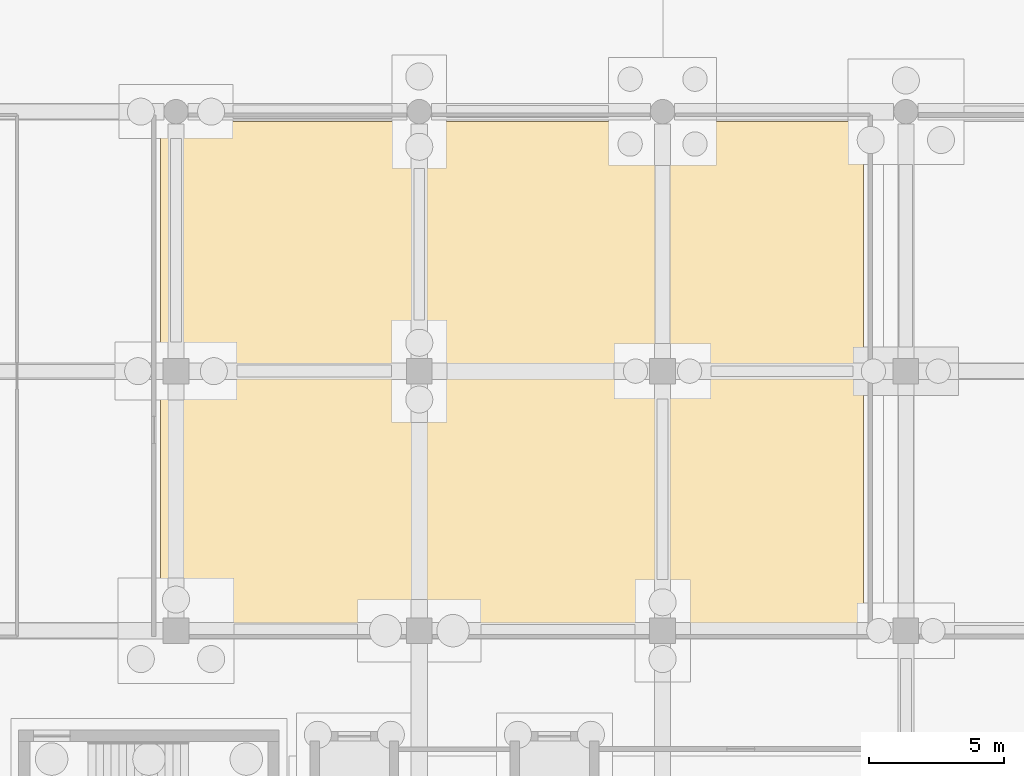
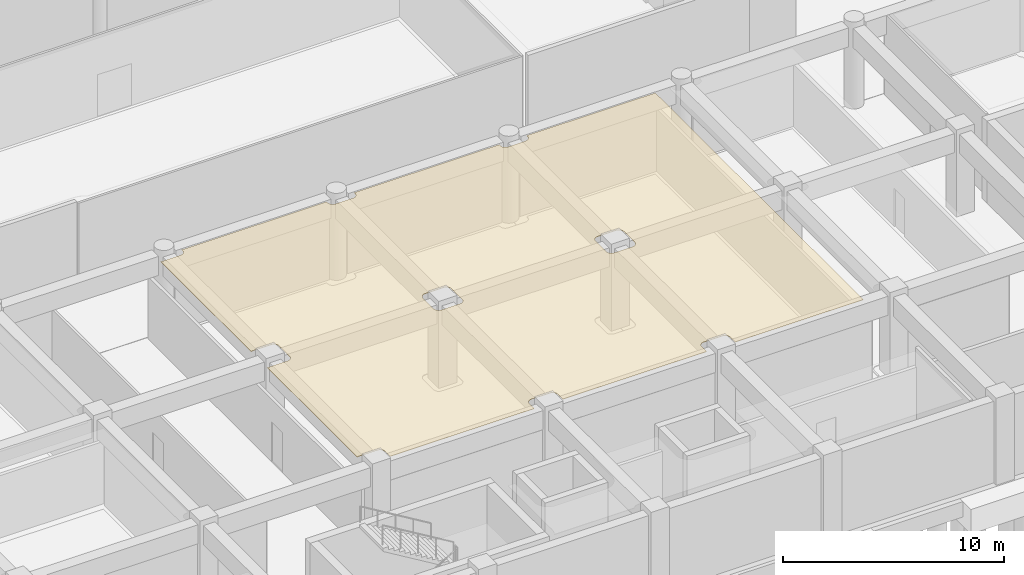
# One storey, part 34 of 47: 1 covering.
"""IFC4 building model written with IfcOpenShell, lengths in metres."""

from ifc_helpers import new_model, si_unit, direction, frame, origin, place, context, subcontext, project, spatial, polyline, outline, extrude, material, layer, layer_set, type_object, element, save


model = new_model("IFC4")

# Units and contexts
model_context = context("Model", 3, precision=1e-05, world=origin(), true_north=direction((0.0, 1.0)))
body_context = subcontext(model_context, "Body", "Model", "MODEL_VIEW")
ifc_project = project(units=[si_unit("LENGTHUNIT", "METRE"), si_unit("AREAUNIT", "SQUARE_METRE"), si_unit("VOLUMEUNIT", "CUBIC_METRE"), si_unit("PLANEANGLEUNIT", "RADIAN"), si_unit("MASSUNIT", "GRAM", prefix="KILO")], contexts=[model_context])

# Site, building, storey
site_placement = place(None, origin())
site = spatial("IfcSite", under=ifc_project, at=site_placement, CompositionType="ELEMENT")
building_placement = place(site_placement, origin())
building = spatial("IfcBuilding", under=site, at=building_placement, Name="Cendralis Terraced Arcade", CompositionType="ELEMENT")
storey_placement = place(building_placement, frame((0.0, 0.0, -4.800048828125)))
storey = spatial("IfcBuildingStorey", under=building, at=storey_placement, Name="B1", CompositionType="ELEMENT", Elevation=-4.800048828125)

# Covering
ifc_material = material(Name="Gypsum plasterboard acoustic partition")
ifc_layer = layer(ifc_material, 0.02490234375, Name="COV-CEIL-ACOU-25")
ifc_layer_set = layer_set([ifc_layer], Name="Gypsum plasterboard acoustic partition")
covering_type = type_object("IfcCoveringType", Name="COV-CEIL-ACOU-25", PredefinedType="CEILING", material=ifc_layer_set)
covering_placement = place(storey_placement, frame((0.0, 0.0, 4.47509765625)))
element("IfcCovering", 1, at=covering_placement, inside=storey, type_object=covering_type, Name="Acoustic Soffit Ceiling B1-012", PredefinedType="CEILING", context=body_context, shape_type="SweptSolid", body=[
    extrude(outline(polyline([(75.633056640625, 28.071044921875), (75.635009765625, 28.070556640625), (75.658447265625, 28.0634765625), (75.660400390625, 28.06298828125), (75.684326171875, 28.05810546875), (75.686279296875, 28.057861328125), (75.710693359375, 28.055419921875), (75.712646484375, 28.055419921875), (75.72509765625, 28.054931640625), (76.675048828125, 28.054931640625), (76.687255859375, 28.055419921875), (76.689208984375, 28.055419921875), (76.713623046875, 28.057861328125), (76.715576171875, 28.05810546875), (76.739501953125, 28.06298828125), (76.74169921875, 28.0634765625), (76.764892578125, 28.070556640625), (76.766845703125, 28.071044921875), (76.78955078125, 28.08056640625), (76.791259765625, 28.081298828125), (76.81298828125, 28.093017578125), (76.814697265625, 28.093994140625), (76.8349609375, 28.107666015625), (76.836669921875, 28.108642578125), (76.855712890625, 28.124267578125), (76.85693359375, 28.12548828125), (76.87451171875, 28.14306640625), (76.875732421875, 28.144287109375), (76.891357421875, 28.163330078125), (76.892333984375, 28.1650390625), (76.906005859375, 28.185302734375), (76.906982421875, 28.18701171875), (76.918701171875, 28.208740234375), (76.91943359375, 28.21044921875), (76.928955078125, 28.233154296875), (76.929443359375, 28.235107421875), (76.9365234375, 28.25830078125), (76.93701171875, 28.260498046875), (76.94189453125, 28.284423828125), (76.942138671875, 28.286376953125), (76.944580078125, 28.310791015625), (76.944580078125, 28.312744140625), (76.945068359375, 28.324951171875), (76.945068359375, 29.27490234375), (76.944580078125, 29.287353515625), (76.944580078125, 29.289306640625), (76.942138671875, 29.313720703125), (76.94189453125, 29.315673828125), (76.93701171875, 29.339599609375), (76.9365234375, 29.341552734375), (76.929443359375, 29.364990234375), (76.928955078125, 29.366943359375), (76.91943359375, 29.389404296875), (76.918701171875, 29.391357421875), (76.906982421875, 29.4130859375), (76.906005859375, 29.41455078125), (76.892333984375, 29.43505859375), (76.891357421875, 29.4365234375), (76.875732421875, 29.45556640625), (76.87451171875, 29.45703125), (76.85693359375, 29.474365234375), (76.855712890625, 29.4755859375), (76.836669921875, 29.4912109375), (76.8349609375, 29.492431640625), (76.814697265625, 29.506103515625), (76.81298828125, 29.507080078125), (76.791259765625, 29.5185546875), (76.78955078125, 29.51953125), (76.766845703125, 29.52880859375), (76.764892578125, 29.529541015625), (76.74169921875, 29.53662109375), (76.739501953125, 29.537109375), (76.715576171875, 29.5419921875), (76.713623046875, 29.542236328125), (76.689208984375, 29.544677734375), (76.687255859375, 29.544677734375), (76.675048828125, 29.544921875), (75.72509765625, 29.544921875), (75.712646484375, 29.544677734375), (75.710693359375, 29.544677734375), (75.686279296875, 29.542236328125), (75.684326171875, 29.5419921875), (75.660400390625, 29.537109375), (75.658447265625, 29.53662109375), (75.635009765625, 29.529541015625), (75.633056640625, 29.52880859375), (75.6298828125, 29.527587890625), (75.6298828125, 37.708251953125), (75.6337890625, 37.706298828125), (75.635498046875, 37.70556640625), (75.658203125, 37.696044921875), (75.659912109375, 37.695556640625), (75.683349609375, 37.6884765625), (75.685302734375, 37.68798828125), (75.70947265625, 37.68310546875), (75.71142578125, 37.682861328125), (75.73583984375, 37.680419921875), (75.73779296875, 37.680419921875), (75.75, 37.679931640625), (76.64990234375, 37.679931640625), (76.662353515625, 37.680419921875), (76.664306640625, 37.680419921875), (76.688720703125, 37.682861328125), (76.690673828125, 37.68310546875), (76.714599609375, 37.68798828125), (76.716552734375, 37.6884765625), (76.739990234375, 37.695556640625), (76.741943359375, 37.696044921875), (76.764404296875, 37.70556640625), (76.766357421875, 37.706298828125), (76.7880859375, 37.718017578125), (76.78955078125, 37.718994140625), (76.81005859375, 37.732666015625), (76.8115234375, 37.733642578125), (76.83056640625, 37.749267578125), (76.83203125, 37.75048828125), (76.849365234375, 37.76806640625), (76.8505859375, 37.769287109375), (76.8662109375, 37.788330078125), (76.867431640625, 37.7900390625), (76.881103515625, 37.810302734375), (76.882080078125, 37.81201171875), (76.8935546875, 37.833740234375), (76.89453125, 37.83544921875), (76.90380859375, 37.858154296875), (76.904541015625, 37.860107421875), (76.91162109375, 37.88330078125), (76.912109375, 37.885498046875), (76.9169921875, 37.909423828125), (76.917236328125, 37.911376953125), (76.919677734375, 37.935791015625), (76.919677734375, 37.937744140625), (76.919921875, 37.949951171875), (76.919921875, 38.030029296875), (84.47998046875, 38.030029296875), (84.47998046875, 37.949951171875), (84.480224609375, 37.937744140625), (84.48046875, 37.935791015625), (84.48291015625, 37.911376953125), (84.483154296875, 37.909423828125), (84.48779296875, 37.885498046875), (84.48828125, 37.88330078125), (84.49560546875, 37.860107421875), (84.49609375, 37.858154296875), (84.505615234375, 37.83544921875), (84.50634765625, 37.833740234375), (84.517822265625, 37.81201171875), (84.518798828125, 37.810302734375), (84.53271484375, 37.7900390625), (84.53369140625, 37.788330078125), (84.54931640625, 37.769287109375), (84.550537109375, 37.76806640625), (84.568115234375, 37.75048828125), (84.5693359375, 37.749267578125), (84.58837890625, 37.733642578125), (84.590087890625, 37.732666015625), (84.6103515625, 37.718994140625), (84.612060546875, 37.718017578125), (84.6337890625, 37.706298828125), (84.635498046875, 37.70556640625), (84.658203125, 37.696044921875), (84.659912109375, 37.695556640625), (84.683349609375, 37.6884765625), (84.685302734375, 37.68798828125), (84.70947265625, 37.68310546875), (84.71142578125, 37.682861328125), (84.73583984375, 37.680419921875), (84.73779296875, 37.680419921875), (84.75, 37.679931640625), (85.64990234375, 37.679931640625), (85.662353515625, 37.680419921875), (85.664306640625, 37.680419921875), (85.688720703125, 37.682861328125), (85.690673828125, 37.68310546875), (85.714599609375, 37.68798828125), (85.716552734375, 37.6884765625), (85.739990234375, 37.695556640625), (85.741943359375, 37.696044921875), (85.764404296875, 37.70556640625), (85.766357421875, 37.706298828125), (85.7880859375, 37.718017578125), (85.78955078125, 37.718994140625), (85.81005859375, 37.732666015625), (85.8115234375, 37.733642578125), (85.83056640625, 37.749267578125), (85.83203125, 37.75048828125), (85.849365234375, 37.76806640625), (85.8505859375, 37.769287109375), (85.8662109375, 37.788330078125), (85.867431640625, 37.7900390625), (85.881103515625, 37.810302734375), (85.882080078125, 37.81201171875), (85.8935546875, 37.833740234375), (85.89453125, 37.83544921875), (85.90380859375, 37.858154296875), (85.904541015625, 37.860107421875), (85.91162109375, 37.88330078125), (85.912109375, 37.885498046875), (85.9169921875, 37.909423828125), (85.917236328125, 37.911376953125), (85.919677734375, 37.935791015625), (85.919677734375, 37.937744140625), (85.919921875, 37.949951171875), (85.919921875, 38.030029296875), (93.47998046875, 38.030029296875), (93.47998046875, 37.949951171875), (93.480224609375, 37.937744140625), (93.48046875, 37.935791015625), (93.48291015625, 37.911376953125), (93.483154296875, 37.909423828125), (93.48779296875, 37.885498046875), (93.48828125, 37.88330078125), (93.49560546875, 37.860107421875), (93.49609375, 37.858154296875), (93.505615234375, 37.83544921875), (93.50634765625, 37.833740234375), (93.517822265625, 37.81201171875), (93.518798828125, 37.810302734375), (93.53271484375, 37.7900390625), (93.53369140625, 37.788330078125), (93.54931640625, 37.769287109375), (93.550537109375, 37.76806640625), (93.568115234375, 37.75048828125), (93.5693359375, 37.749267578125), (93.58837890625, 37.733642578125), (93.590087890625, 37.732666015625), (93.6103515625, 37.718994140625), (93.612060546875, 37.718017578125), (93.6337890625, 37.706298828125), (93.635498046875, 37.70556640625), (93.658203125, 37.696044921875), (93.659912109375, 37.695556640625), (93.683349609375, 37.6884765625), (93.685302734375, 37.68798828125), (93.70947265625, 37.68310546875), (93.71142578125, 37.682861328125), (93.73583984375, 37.680419921875), (93.73779296875, 37.680419921875), (93.75, 37.679931640625), (94.64990234375, 37.679931640625), (94.662353515625, 37.680419921875), (94.664306640625, 37.680419921875), (94.688720703125, 37.682861328125), (94.690673828125, 37.68310546875), (94.714599609375, 37.68798828125), (94.716552734375, 37.6884765625), (94.739990234375, 37.695556640625), (94.741943359375, 37.696044921875), (94.764404296875, 37.70556640625), (94.766357421875, 37.706298828125), (94.7880859375, 37.718017578125), (94.78955078125, 37.718994140625), (94.81005859375, 37.732666015625), (94.8115234375, 37.733642578125), (94.83056640625, 37.749267578125), (94.83203125, 37.75048828125), (94.849365234375, 37.76806640625), (94.8505859375, 37.769287109375), (94.8662109375, 37.788330078125), (94.867431640625, 37.7900390625), (94.881103515625, 37.810302734375), (94.882080078125, 37.81201171875), (94.8935546875, 37.833740234375), (94.89453125, 37.83544921875), (94.90380859375, 37.858154296875), (94.904541015625, 37.860107421875), (94.91162109375, 37.88330078125), (94.912109375, 37.885498046875), (94.9169921875, 37.909423828125), (94.917236328125, 37.911376953125), (94.919677734375, 37.935791015625), (94.919677734375, 37.937744140625), (94.919921875, 37.949951171875), (94.919921875, 38.030029296875), (101.6298828125, 38.030029296875), (101.6298828125, 19.22998046875), (94.945068359375, 19.22998046875), (94.945068359375, 19.675048828125), (94.944580078125, 19.687255859375), (94.944580078125, 19.689208984375), (94.942138671875, 19.713623046875), (94.94189453125, 19.715576171875), (94.93701171875, 19.739501953125), (94.9365234375, 19.74169921875), (94.929443359375, 19.764892578125), (94.928955078125, 19.766845703125), (94.91943359375, 19.78955078125), (94.918701171875, 19.791259765625), (94.906982421875, 19.81298828125), (94.906005859375, 19.814697265625), (94.892333984375, 19.8349609375), (94.891357421875, 19.836669921875), (94.875732421875, 19.855712890625), (94.87451171875, 19.85693359375), (94.85693359375, 19.87451171875), (94.855712890625, 19.875732421875), (94.836669921875, 19.891357421875), (94.8349609375, 19.892333984375), (94.814697265625, 19.906005859375), (94.81298828125, 19.906982421875), (94.791259765625, 19.918701171875), (94.78955078125, 19.91943359375), (94.766845703125, 19.928955078125), (94.764892578125, 19.929443359375), (94.74169921875, 19.9365234375), (94.739501953125, 19.93701171875), (94.715576171875, 19.94189453125), (94.713623046875, 19.942138671875), (94.689208984375, 19.944580078125), (94.687255859375, 19.944580078125), (94.675048828125, 19.945068359375), (93.72509765625, 19.945068359375), (93.712646484375, 19.944580078125), (93.710693359375, 19.944580078125), (93.686279296875, 19.942138671875), (93.684326171875, 19.94189453125), (93.660400390625, 19.93701171875), (93.658447265625, 19.9365234375), (93.635009765625, 19.929443359375), (93.633056640625, 19.928955078125), (93.610595703125, 19.91943359375), (93.608642578125, 19.918701171875), (93.5869140625, 19.906982421875), (93.58544921875, 19.906005859375), (93.56494140625, 19.892333984375), (93.5634765625, 19.891357421875), (93.54443359375, 19.875732421875), (93.54296875, 19.87451171875), (93.525634765625, 19.85693359375), (93.5244140625, 19.855712890625), (93.5087890625, 19.836669921875), (93.507568359375, 19.8349609375), (93.493896484375, 19.814697265625), (93.492919921875, 19.81298828125), (93.4814453125, 19.791259765625), (93.48046875, 19.78955078125), (93.47119140625, 19.766845703125), (93.470458984375, 19.764892578125), (93.46337890625, 19.74169921875), (93.462890625, 19.739501953125), (93.4580078125, 19.715576171875), (93.457763671875, 19.713623046875), (93.455322265625, 19.689208984375), (93.455322265625, 19.687255859375), (93.455078125, 19.675048828125), (93.455078125, 19.22998046875), (85.945068359375, 19.22998046875), (85.945068359375, 19.675048828125), (85.944580078125, 19.687255859375), (85.944580078125, 19.689208984375), (85.942138671875, 19.713623046875), (85.94189453125, 19.715576171875), (85.93701171875, 19.739501953125), (85.9365234375, 19.74169921875), (85.929443359375, 19.764892578125), (85.928955078125, 19.766845703125), (85.91943359375, 19.78955078125), (85.918701171875, 19.791259765625), (85.906982421875, 19.81298828125), (85.906005859375, 19.814697265625), (85.892333984375, 19.8349609375), (85.891357421875, 19.836669921875), (85.875732421875, 19.855712890625), (85.87451171875, 19.85693359375), (85.85693359375, 19.87451171875), (85.855712890625, 19.875732421875), (85.836669921875, 19.891357421875), (85.8349609375, 19.892333984375), (85.814697265625, 19.906005859375), (85.81298828125, 19.906982421875), (85.791259765625, 19.918701171875), (85.78955078125, 19.91943359375), (85.766845703125, 19.928955078125), (85.764892578125, 19.929443359375), (85.74169921875, 19.9365234375), (85.739501953125, 19.93701171875), (85.715576171875, 19.94189453125), (85.713623046875, 19.942138671875), (85.689208984375, 19.944580078125), (85.687255859375, 19.944580078125), (85.675048828125, 19.945068359375), (84.72509765625, 19.945068359375), (84.712646484375, 19.944580078125), (84.710693359375, 19.944580078125), (84.686279296875, 19.942138671875), (84.684326171875, 19.94189453125), (84.660400390625, 19.93701171875), (84.658447265625, 19.9365234375), (84.635009765625, 19.929443359375), (84.633056640625, 19.928955078125), (84.610595703125, 19.91943359375), (84.608642578125, 19.918701171875), (84.5869140625, 19.906982421875), (84.58544921875, 19.906005859375), (84.56494140625, 19.892333984375), (84.5634765625, 19.891357421875), (84.54443359375, 19.875732421875), (84.54296875, 19.87451171875), (84.525634765625, 19.85693359375), (84.5244140625, 19.855712890625), (84.5087890625, 19.836669921875), (84.507568359375, 19.8349609375), (84.493896484375, 19.814697265625), (84.492919921875, 19.81298828125), (84.4814453125, 19.791259765625), (84.48046875, 19.78955078125), (84.47119140625, 19.766845703125), (84.470458984375, 19.764892578125), (84.46337890625, 19.74169921875), (84.462890625, 19.739501953125), (84.4580078125, 19.715576171875), (84.457763671875, 19.713623046875), (84.455322265625, 19.689208984375), (84.455322265625, 19.687255859375), (84.455078125, 19.675048828125), (84.455078125, 19.22998046875), (76.945068359375, 19.22998046875), (76.945068359375, 19.675048828125), (76.944580078125, 19.687255859375), (76.944580078125, 19.689208984375), (76.942138671875, 19.713623046875), (76.94189453125, 19.715576171875), (76.93701171875, 19.739501953125), (76.9365234375, 19.74169921875), (76.929443359375, 19.764892578125), (76.928955078125, 19.766845703125), (76.91943359375, 19.78955078125), (76.918701171875, 19.791259765625), (76.906982421875, 19.81298828125), (76.906005859375, 19.814697265625), (76.892333984375, 19.8349609375), (76.891357421875, 19.836669921875), (76.875732421875, 19.855712890625), (76.87451171875, 19.85693359375), (76.85693359375, 19.87451171875), (76.855712890625, 19.875732421875), (76.836669921875, 19.891357421875), (76.8349609375, 19.892333984375), (76.814697265625, 19.906005859375), (76.81298828125, 19.906982421875), (76.791259765625, 19.918701171875), (76.78955078125, 19.91943359375), (76.766845703125, 19.928955078125), (76.764892578125, 19.929443359375), (76.74169921875, 19.9365234375), (76.739501953125, 19.93701171875), (76.715576171875, 19.94189453125), (76.713623046875, 19.942138671875), (76.689208984375, 19.944580078125), (76.687255859375, 19.944580078125), (76.675048828125, 19.945068359375), (75.72509765625, 19.945068359375), (75.712646484375, 19.944580078125), (75.710693359375, 19.944580078125), (75.686279296875, 19.942138671875), (75.684326171875, 19.94189453125), (75.660400390625, 19.93701171875), (75.658447265625, 19.9365234375), (75.635009765625, 19.929443359375), (75.633056640625, 19.928955078125), (75.6298828125, 19.927490234375), (75.6298828125, 28.072509765625), (75.633056640625, 28.071044921875)]), holes=[polyline([(93.608642578125, 28.081298828125), (93.610595703125, 28.08056640625), (93.633056640625, 28.071044921875), (93.635009765625, 28.070556640625), (93.658447265625, 28.0634765625), (93.660400390625, 28.06298828125), (93.684326171875, 28.05810546875), (93.686279296875, 28.057861328125), (93.710693359375, 28.055419921875), (93.712646484375, 28.055419921875), (93.72509765625, 28.054931640625), (94.675048828125, 28.054931640625), (94.687255859375, 28.055419921875), (94.689208984375, 28.055419921875), (94.713623046875, 28.057861328125), (94.715576171875, 28.05810546875), (94.739501953125, 28.06298828125), (94.74169921875, 28.0634765625), (94.764892578125, 28.070556640625), (94.766845703125, 28.071044921875), (94.78955078125, 28.08056640625), (94.791259765625, 28.081298828125), (94.81298828125, 28.093017578125), (94.814697265625, 28.093994140625), (94.8349609375, 28.107666015625), (94.836669921875, 28.108642578125), (94.855712890625, 28.124267578125), (94.85693359375, 28.12548828125), (94.87451171875, 28.14306640625), (94.875732421875, 28.144287109375), (94.891357421875, 28.163330078125), (94.892333984375, 28.1650390625), (94.906005859375, 28.185302734375), (94.906982421875, 28.18701171875), (94.918701171875, 28.208740234375), (94.91943359375, 28.21044921875), (94.928955078125, 28.233154296875), (94.929443359375, 28.235107421875), (94.9365234375, 28.25830078125), (94.93701171875, 28.260498046875), (94.94189453125, 28.284423828125), (94.942138671875, 28.286376953125), (94.944580078125, 28.310791015625), (94.944580078125, 28.312744140625), (94.945068359375, 28.324951171875), (94.945068359375, 29.27490234375), (94.944580078125, 29.287353515625), (94.944580078125, 29.289306640625), (94.942138671875, 29.313720703125), (94.94189453125, 29.315673828125), (94.93701171875, 29.339599609375), (94.9365234375, 29.341552734375), (94.929443359375, 29.364990234375), (94.928955078125, 29.366943359375), (94.91943359375, 29.389404296875), (94.918701171875, 29.391357421875), (94.906982421875, 29.4130859375), (94.906005859375, 29.41455078125), (94.892333984375, 29.43505859375), (94.891357421875, 29.4365234375), (94.875732421875, 29.45556640625), (94.87451171875, 29.45703125), (94.85693359375, 29.474365234375), (94.855712890625, 29.4755859375), (94.836669921875, 29.4912109375), (94.8349609375, 29.492431640625), (94.814697265625, 29.506103515625), (94.81298828125, 29.507080078125), (94.791259765625, 29.5185546875), (94.78955078125, 29.51953125), (94.766845703125, 29.52880859375), (94.764892578125, 29.529541015625), (94.74169921875, 29.53662109375), (94.739501953125, 29.537109375), (94.715576171875, 29.5419921875), (94.713623046875, 29.542236328125), (94.689208984375, 29.544677734375), (94.687255859375, 29.544677734375), (94.675048828125, 29.544921875), (93.72509765625, 29.544921875), (93.712646484375, 29.544677734375), (93.710693359375, 29.544677734375), (93.686279296875, 29.542236328125), (93.684326171875, 29.5419921875), (93.660400390625, 29.537109375), (93.658447265625, 29.53662109375), (93.635009765625, 29.529541015625), (93.633056640625, 29.52880859375), (93.610595703125, 29.51953125), (93.608642578125, 29.5185546875), (93.5869140625, 29.507080078125), (93.58544921875, 29.506103515625), (93.56494140625, 29.492431640625), (93.5634765625, 29.4912109375), (93.54443359375, 29.4755859375), (93.54296875, 29.474365234375), (93.525634765625, 29.45703125), (93.5244140625, 29.45556640625), (93.5087890625, 29.4365234375), (93.507568359375, 29.43505859375), (93.493896484375, 29.41455078125), (93.492919921875, 29.4130859375), (93.4814453125, 29.391357421875), (93.48046875, 29.389404296875), (93.47119140625, 29.366943359375), (93.470458984375, 29.364990234375), (93.46337890625, 29.341552734375), (93.462890625, 29.339599609375), (93.4580078125, 29.315673828125), (93.457763671875, 29.313720703125), (93.455322265625, 29.289306640625), (93.455322265625, 29.287353515625), (93.455078125, 29.27490234375), (93.455078125, 28.324951171875), (93.455322265625, 28.312744140625), (93.455322265625, 28.310791015625), (93.457763671875, 28.286376953125), (93.4580078125, 28.284423828125), (93.462890625, 28.260498046875), (93.46337890625, 28.25830078125), (93.470458984375, 28.235107421875), (93.47119140625, 28.233154296875), (93.48046875, 28.21044921875), (93.4814453125, 28.208740234375), (93.492919921875, 28.18701171875), (93.493896484375, 28.185302734375), (93.507568359375, 28.1650390625), (93.5087890625, 28.163330078125), (93.5244140625, 28.144287109375), (93.525634765625, 28.14306640625), (93.54296875, 28.12548828125), (93.54443359375, 28.124267578125), (93.5634765625, 28.108642578125), (93.56494140625, 28.107666015625), (93.58544921875, 28.093994140625), (93.5869140625, 28.093017578125), (93.608642578125, 28.081298828125)]), polyline([(84.608642578125, 28.081298828125), (84.610595703125, 28.08056640625), (84.633056640625, 28.071044921875), (84.635009765625, 28.070556640625), (84.658447265625, 28.0634765625), (84.660400390625, 28.06298828125), (84.684326171875, 28.05810546875), (84.686279296875, 28.057861328125), (84.710693359375, 28.055419921875), (84.712646484375, 28.055419921875), (84.72509765625, 28.054931640625), (85.675048828125, 28.054931640625), (85.687255859375, 28.055419921875), (85.689208984375, 28.055419921875), (85.713623046875, 28.057861328125), (85.715576171875, 28.05810546875), (85.739501953125, 28.06298828125), (85.74169921875, 28.0634765625), (85.764892578125, 28.070556640625), (85.766845703125, 28.071044921875), (85.78955078125, 28.08056640625), (85.791259765625, 28.081298828125), (85.81298828125, 28.093017578125), (85.814697265625, 28.093994140625), (85.8349609375, 28.107666015625), (85.836669921875, 28.108642578125), (85.855712890625, 28.124267578125), (85.85693359375, 28.12548828125), (85.87451171875, 28.14306640625), (85.875732421875, 28.144287109375), (85.891357421875, 28.163330078125), (85.892333984375, 28.1650390625), (85.906005859375, 28.185302734375), (85.906982421875, 28.18701171875), (85.918701171875, 28.208740234375), (85.91943359375, 28.21044921875), (85.928955078125, 28.233154296875), (85.929443359375, 28.235107421875), (85.9365234375, 28.25830078125), (85.93701171875, 28.260498046875), (85.94189453125, 28.284423828125), (85.942138671875, 28.286376953125), (85.944580078125, 28.310791015625), (85.944580078125, 28.312744140625), (85.945068359375, 28.324951171875), (85.945068359375, 29.27490234375), (85.944580078125, 29.287353515625), (85.944580078125, 29.289306640625), (85.942138671875, 29.313720703125), (85.94189453125, 29.315673828125), (85.93701171875, 29.339599609375), (85.9365234375, 29.341552734375), (85.929443359375, 29.364990234375), (85.928955078125, 29.366943359375), (85.91943359375, 29.389404296875), (85.918701171875, 29.391357421875), (85.906982421875, 29.4130859375), (85.906005859375, 29.41455078125), (85.892333984375, 29.43505859375), (85.891357421875, 29.4365234375), (85.875732421875, 29.45556640625), (85.87451171875, 29.45703125), (85.85693359375, 29.474365234375), (85.855712890625, 29.4755859375), (85.836669921875, 29.4912109375), (85.8349609375, 29.492431640625), (85.814697265625, 29.506103515625), (85.81298828125, 29.507080078125), (85.791259765625, 29.5185546875), (85.78955078125, 29.51953125), (85.766845703125, 29.52880859375), (85.764892578125, 29.529541015625), (85.74169921875, 29.53662109375), (85.739501953125, 29.537109375), (85.715576171875, 29.5419921875), (85.713623046875, 29.542236328125), (85.689208984375, 29.544677734375), (85.687255859375, 29.544677734375), (85.675048828125, 29.544921875), (84.72509765625, 29.544921875), (84.712646484375, 29.544677734375), (84.710693359375, 29.544677734375), (84.686279296875, 29.542236328125), (84.684326171875, 29.5419921875), (84.660400390625, 29.537109375), (84.658447265625, 29.53662109375), (84.635009765625, 29.529541015625), (84.633056640625, 29.52880859375), (84.610595703125, 29.51953125), (84.608642578125, 29.5185546875), (84.5869140625, 29.507080078125), (84.58544921875, 29.506103515625), (84.56494140625, 29.492431640625), (84.5634765625, 29.4912109375), (84.54443359375, 29.4755859375), (84.54296875, 29.474365234375), (84.525634765625, 29.45703125), (84.5244140625, 29.45556640625), (84.5087890625, 29.4365234375), (84.507568359375, 29.43505859375), (84.493896484375, 29.41455078125), (84.492919921875, 29.4130859375), (84.4814453125, 29.391357421875), (84.48046875, 29.389404296875), (84.47119140625, 29.366943359375), (84.470458984375, 29.364990234375), (84.46337890625, 29.341552734375), (84.462890625, 29.339599609375), (84.4580078125, 29.315673828125), (84.457763671875, 29.313720703125), (84.455322265625, 29.289306640625), (84.455322265625, 29.287353515625), (84.455078125, 29.27490234375), (84.455078125, 28.324951171875), (84.455322265625, 28.312744140625), (84.455322265625, 28.310791015625), (84.457763671875, 28.286376953125), (84.4580078125, 28.284423828125), (84.462890625, 28.260498046875), (84.46337890625, 28.25830078125), (84.470458984375, 28.235107421875), (84.47119140625, 28.233154296875), (84.48046875, 28.21044921875), (84.4814453125, 28.208740234375), (84.492919921875, 28.18701171875), (84.493896484375, 28.185302734375), (84.507568359375, 28.1650390625), (84.5087890625, 28.163330078125), (84.5244140625, 28.144287109375), (84.525634765625, 28.14306640625), (84.54296875, 28.12548828125), (84.54443359375, 28.124267578125), (84.5634765625, 28.108642578125), (84.56494140625, 28.107666015625), (84.58544921875, 28.093994140625), (84.5869140625, 28.093017578125), (84.608642578125, 28.081298828125)])]), origin(), (0.0, 0.0, 1.0), 0.02490234375),
])

save(model, "model.ifc")
